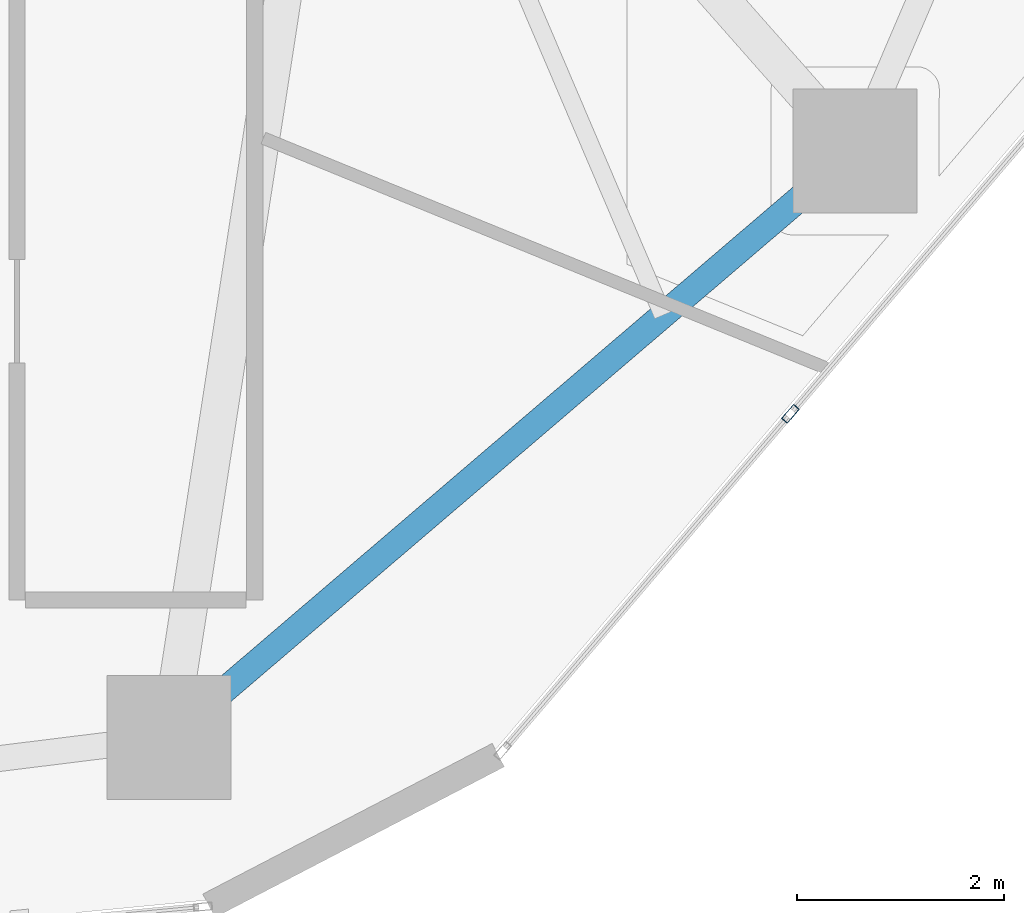
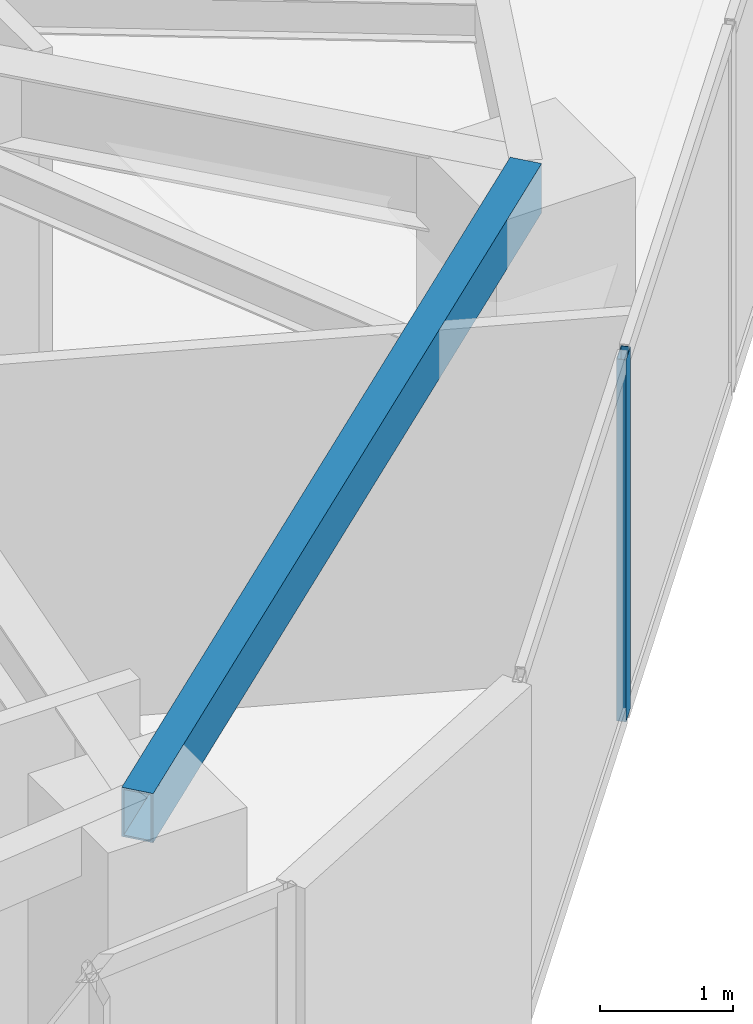
# One storey, part 7 of 22: 1 beam, 1 member, 1 element without a shape of its own.
"""IFC4 building model written with IfcOpenShell, lengths in metres."""

from ifc_helpers import new_model, si_unit, direction, frame, origin, origin_2d, place, context, subcontext, project, spatial, hollow_rectangle, extrude, source, transform, mapped, material, layer, layer_set, material_profile, profile_set, type_object, type_shapes, element, aggregate, save


model = new_model("IFC4")

# Units and contexts
model_context = context("Model", 3, precision=1e-05, world=origin(), true_north=direction((0.0, 1.0)))
body_context = subcontext(model_context, "Body", "Model", "MODEL_VIEW")
ifc_project = project(units=[si_unit("LENGTHUNIT", "METRE"), si_unit("AREAUNIT", "SQUARE_METRE"), si_unit("VOLUMEUNIT", "CUBIC_METRE"), si_unit("PLANEANGLEUNIT", "RADIAN"), si_unit("MASSUNIT", "GRAM", prefix="KILO")], contexts=[model_context])

# Site, building, storey
site_placement = place(None, origin())
site = spatial("IfcSite", under=ifc_project, at=site_placement, CompositionType="ELEMENT")
building_placement = place(site_placement, origin())
building = spatial("IfcBuilding", under=site, at=building_placement, Name="Talar Marvaseh", CompositionType="ELEMENT")
storey_placement = place(building_placement, frame((0.0, 0.0, 107.39990234375)))
storey = spatial("IfcBuildingStorey", under=building, at=storey_placement, Name="L27", CompositionType="ELEMENT", Elevation=107.39990234375)

# Beam
ifc_material_1 = material(Name="Steel S355", Category="steel")
ifc_material_profile_1 = material_profile(ifc_material_1, hollow_rectangle(XDim=0.25, YDim=0.449951171875, WallThickness=0.01611328125, at=origin_2d()), Name="RHS450x250x16")
ifc_profile_set_1 = profile_set([ifc_material_profile_1], Name="Steel S355")
beam_type = type_object("IfcBeamType", Name="Zone 2 Perimeter Spandrel Beam RHS450x250x16", PredefinedType="SPANDREL", material=ifc_profile_set_1)
beam_placement = place(storey_placement, frame((38.2060546875, 19.94091796875, 3.085205078125), z_axis=(-0.76011265597, -0.649791312833, 0.0), x_axis=(0.649791312833, -0.76011265597, 0.0)))
element("IfcBeam", 1, at=beam_placement, inside=storey, type_object=beam_type, Name="L27 Zone 2 Perimeter Spandrel Beam RHS450x250x16", PredefinedType="SPANDREL", context=body_context, shape_type="SweptSolid", body=[
    extrude(hollow_rectangle(XDim=0.25, YDim=0.449951171875, WallThickness=0.01611328125, at=origin_2d()), origin(), (0.0, 0.0, 1.0), 8.730224609375),
])

# Curtain wall, member
ifc_material_2 = material(Name="Architectural Aluminium", Category="aluminium")
ifc_layer = layer(ifc_material_2, 0.199951171875)
ifc_layer_set = layer_set([ifc_layer], Name="Architectural Aluminium")
curtain_wall_type = type_object("IfcCurtainWallType", Name="Unitised Acoustic Library Curtain Wall Z2", PredefinedType="NOTDEFINED", material=ifc_layer_set)
curtain_wall_placement = place(storey_placement, origin())
curtain_wall = element("IfcCurtainWall", 2, at=curtain_wall_placement, inside=storey, type_object=curtain_wall_type, Name="L27 Unitised Acoustic Library Curtain Wall Z2", PredefinedType="NOTDEFINED")
ifc_material_profile_2 = material_profile(ifc_material_2, hollow_rectangle(XDim=0.074951171875, YDim=0.179931640625, WallThickness=0.0048828125, at=origin_2d()), Name="RHS180x75x5")
ifc_profile_set_2 = profile_set([ifc_material_profile_2], Name="Architectural Aluminium")
member_type = type_object("IfcMemberType", Name="Unitised Curtain Wall Standard Mullion RHS180x75x5", PredefinedType="MULLION", material=ifc_profile_set_2)
shared_shape = source(origin(), body_context, "Body", "SweptSolid", [
    extrude(hollow_rectangle(XDim=0.074951171875, YDim=0.179931640625, WallThickness=0.0048828125, at=origin_2d()), origin(), (0.0, 0.0, 1.0), 3.31005859375),
])
type_shapes(member_type, [shared_shape])
member_placement = place(storey_placement, frame((37.58154296875, 17.3994140625, 0.0), z_axis=(0.0, 0.0, 1.0), x_axis=(0.760304758607, -0.649566527801, 0.0)))
member = element("IfcMember", 3, at=member_placement, type_object=member_type, Name="CW-Z2 mullion 5", PredefinedType="MULLION", context=body_context, shape_type="MappedRepresentation", body=[
    mapped(shared_shape, transform((0.0, 0.0, 0.0), x_axis=(1.0, 0.0, 0.0), y_axis=(0.0, 1.0, 0.0), z_axis=(0.0, 0.0, 1.0), scale=1.0)),
])
aggregate(curtain_wall, [member])

save(model, "model.ifc")
